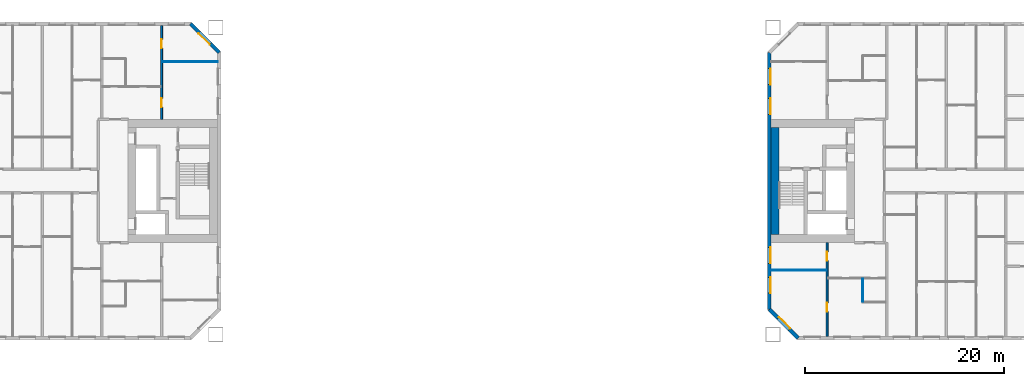
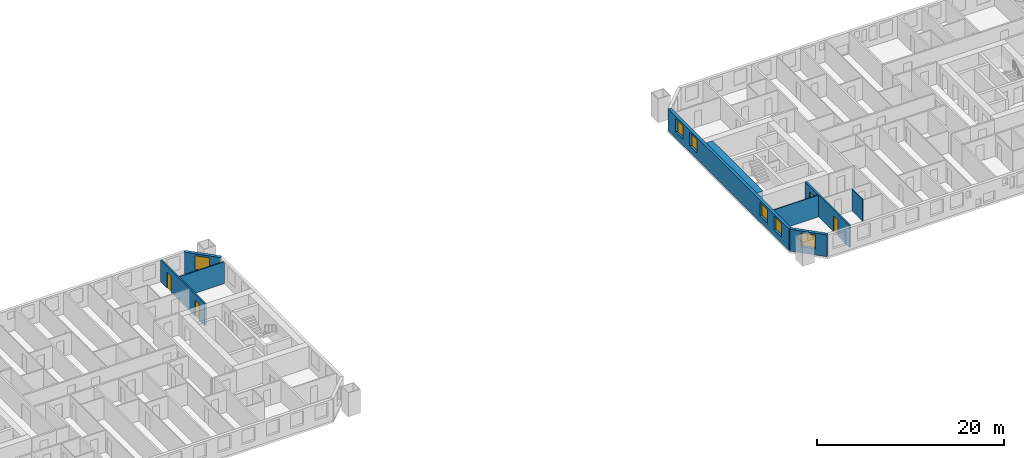
# One storey, part 8 of 16: 9 walls, 6 windows, 4 doors, 10 openings.
"""IFC4 building model written with IfcOpenShell, lengths in metres."""

from ifc_helpers import new_model, si_unit, direction, frame, frame_2d, origin, place, context, subcontext, project, spatial, rectangle, extrude, material, layer, layer_set, type_object, element, fill, save


model = new_model("IFC4")

# Units and contexts
model_context = context("Model", 3, precision=1e-05, world=origin(), true_north=direction((0.0, 1.0)))
body_context = subcontext(model_context, "Body", "Model", "MODEL_VIEW")
ifc_project = project(units=[si_unit("LENGTHUNIT", "METRE"), si_unit("AREAUNIT", "SQUARE_METRE"), si_unit("VOLUMEUNIT", "CUBIC_METRE"), si_unit("PLANEANGLEUNIT", "RADIAN"), si_unit("MASSUNIT", "GRAM", prefix="KILO")], contexts=[model_context])

# Site, building, storey
site_placement = place(None, origin())
site = spatial("IfcSite", under=ifc_project, at=site_placement, CompositionType="ELEMENT")
building_placement = place(site_placement, origin())
building = spatial("IfcBuilding", under=site, at=building_placement, Name="Tuart Gate Housing", CompositionType="ELEMENT")
storey_placement = place(building_placement, frame((0.0, 0.0, 59.800048828125)))
storey = spatial("IfcBuildingStorey", under=building, at=storey_placement, Name="L16", CompositionType="ELEMENT", Elevation=59.800048828125)

# Wall, opening, window
ifc_material_1 = material(Name="Brick", Category="masonry")
ifc_layer_1 = layer(ifc_material_1, 0.360107421875)
ifc_layer_set_1 = layer_set([ifc_layer_1], Name="Brick pier and spandrel wall 360")
wall_type_1 = type_object("IfcWallType", Name="Brick pier and spandrel wall 360", PredefinedType="STANDARD", material=ifc_layer_set_1)
wall_1_placement = place(storey_placement, frame((75.820068359375, 82.92529296875, 0.0), z_axis=(0.0, 0.0, 1.0), x_axis=(-0.707106781187, 0.707106781187, 0.0)))
wall_1 = element("IfcWall", 1, at=wall_1_placement, inside=storey, type_object=wall_type_1, Name="External wall A-NE L16", PredefinedType="STANDARD", context=body_context, shape_type="SweptSolid", body=[
    extrude(rectangle(XDim=4.09375, YDim=0.360107421875, at=frame_2d((2.046875, 0.0))), origin(), (0.0, 0.0, 1.0), 2.849853515625),
])
opening_1_placement = place(wall_1_placement, frame((1.2470703125, 0.0, 0.800048828125)))
opening_1 = element("IfcOpeningElement", 2, at=opening_1_placement, cuts=wall_1, Name="Opening W1", PredefinedType="OPENING", context=body_context, shape_type="SweptSolid", body=[
    extrude(rectangle(XDim=1.60009765625, YDim=1.800048828125, at=frame_2d((0.800048828125, 0.89990234375))), frame((0.0, 0.18994140625, 0.0), z_axis=(0.0, -1.0, 0.0), x_axis=(1.0, 0.0, 0.0)), (0.0, 0.0, 1.0), 0.380126953125),
])
ifc_material_2 = material(Name="Aluminium frame with clear glass", Category="aluminium")
window_type = type_object("IfcWindowType", Name="Punched window 1600 x 1800", PartitioningType="SINGLE_PANEL", PredefinedType="WINDOW", material=ifc_material_2)
window_1_placement = place(opening_1_placement, origin())
window_1 = element("IfcWindow", 3, at=window_1_placement, inside=storey, type_object=window_type, Name="Window W1", OverallHeight=1.800048828125, OverallWidth=1.60009765625, PartitioningType="SINGLE_PANEL", PredefinedType="WINDOW", context=body_context, shape_type="SweptSolid", body=[
    extrude(rectangle(XDim=1.60009765625, YDim=1.800048828125, at=frame_2d((0.800048828125, 0.89990234375))), frame((0.0, 0.150146484375, 0.0), z_axis=(0.0, -1.0, 0.0), x_axis=(1.0, 0.0, 0.0)), (0.0, 0.0, 1.0), 0.06005859375),
])
fill(opening_1, window_1)

wall_2_placement = place(storey_placement, frame((131.179931640625, 57.07470703125, 0.0), z_axis=(0.0, 0.0, 1.0), x_axis=(0.707106781187, -0.707106781187, 0.0)))
wall_2 = element("IfcWall", 4, at=wall_2_placement, inside=storey, type_object=wall_type_1, Name="External wall B-SW L16", PredefinedType="STANDARD", context=body_context, shape_type="SweptSolid", body=[
    extrude(rectangle(XDim=4.09375, YDim=0.360107421875, at=frame_2d((2.046875, 0.0))), origin(), (0.0, 0.0, 1.0), 2.849853515625),
])
opening_2_placement = place(wall_2_placement, frame((1.2470703125, 0.0, 0.800048828125)))
opening_2 = element("IfcOpeningElement", 5, at=opening_2_placement, cuts=wall_2, Name="Opening W1", PredefinedType="OPENING", context=body_context, shape_type="SweptSolid", body=[
    extrude(rectangle(XDim=1.60009765625, YDim=1.800048828125, at=frame_2d((0.800048828125, 0.89990234375))), frame((0.0, 0.18994140625, 0.0), z_axis=(0.0, -1.0, 0.0), x_axis=(1.0, 0.0, 0.0)), (0.0, 0.0, 1.0), 0.380126953125),
])
window_2_placement = place(opening_2_placement, origin())
window_2 = element("IfcWindow", 6, at=window_2_placement, inside=storey, type_object=window_type, Name="Window W1", OverallHeight=1.800048828125, OverallWidth=1.60009765625, PartitioningType="SINGLE_PANEL", PredefinedType="WINDOW", context=body_context, shape_type="SweptSolid", body=[
    extrude(rectangle(XDim=1.60009765625, YDim=1.800048828125, at=frame_2d((0.800048828125, 0.89990234375))), frame((0.0, 0.150146484375, 0.0), z_axis=(0.0, -1.0, 0.0), x_axis=(1.0, 0.0, 0.0)), (0.0, 0.0, 1.0), 0.06005859375),
])
fill(opening_2, window_2)

# Wall, openings, windows
wall_3_placement = place(storey_placement, frame((131.179931640625, 82.92529296875, 0.0), z_axis=(0.0, 0.0, 1.0), x_axis=(0.0, -1.0, 0.0)))
wall_3 = element("IfcWall", 7, at=wall_3_placement, inside=storey, type_object=wall_type_1, Name="External wall B-W L16", PredefinedType="STANDARD", context=body_context, shape_type="SweptSolid", body=[
    extrude(rectangle(XDim=25.850830078125, YDim=0.360107421875, at=frame_2d((12.92529296875, 0.0))), origin(), (0.0, 0.0, 1.0), 2.849853515625),
])
opening_3_placement = place(wall_3_placement, frame((1.62548828125, 0.0, 0.800048828125)))
opening_3 = element("IfcOpeningElement", 8, at=opening_3_placement, cuts=wall_3, Name="Opening W1", PredefinedType="OPENING", context=body_context, shape_type="SweptSolid", body=[
    extrude(rectangle(XDim=1.60009765625, YDim=1.800048828125, at=frame_2d((0.800048828125, 0.89990234375))), frame((0.0, 0.18994140625, 0.0), z_axis=(0.0, -1.0, 0.0), x_axis=(1.0, 0.0, 0.0)), (0.0, 0.0, 1.0), 0.380126953125),
])
opening_4_placement = place(wall_3_placement, frame((4.62548828125, 0.0, 0.800048828125)))
opening_4 = element("IfcOpeningElement", 9, at=opening_4_placement, cuts=wall_3, Name="Opening W1", PredefinedType="OPENING", context=body_context, shape_type="SweptSolid", body=[
    extrude(rectangle(XDim=1.60009765625, YDim=1.800048828125, at=frame_2d((0.800048828125, 0.89990234375))), frame((0.0, 0.18994140625, 0.0), z_axis=(0.0, -1.0, 0.0), x_axis=(1.0, 0.0, 0.0)), (0.0, 0.0, 1.0), 0.380126953125),
])
opening_5_placement = place(wall_3_placement, frame((19.62548828125, 0.0, 0.800048828125)))
opening_5 = element("IfcOpeningElement", 10, at=opening_5_placement, cuts=wall_3, Name="Opening W1", PredefinedType="OPENING", context=body_context, shape_type="SweptSolid", body=[
    extrude(rectangle(XDim=1.60009765625, YDim=1.800048828125, at=frame_2d((0.800048828125, 0.89990234375))), frame((0.0, 0.18994140625, 0.0), z_axis=(0.0, -1.0, 0.0), x_axis=(1.0, 0.0, 0.0)), (0.0, 0.0, 1.0), 0.380126953125),
])
opening_6_placement = place(wall_3_placement, frame((22.62548828125, 0.0, 0.800048828125)))
opening_6 = element("IfcOpeningElement", 11, at=opening_6_placement, cuts=wall_3, Name="Opening W1", PredefinedType="OPENING", context=body_context, shape_type="SweptSolid", body=[
    extrude(rectangle(XDim=1.60009765625, YDim=1.800048828125, at=frame_2d((0.800048828125, 0.89990234375))), frame((0.0, 0.18994140625, 0.0), z_axis=(0.0, -1.0, 0.0), x_axis=(1.0, 0.0, 0.0)), (0.0, 0.0, 1.0), 0.380126953125),
])
window_3_placement = place(opening_3_placement, origin())
window_3 = element("IfcWindow", 12, at=window_3_placement, inside=storey, type_object=window_type, Name="Window W1", OverallHeight=1.800048828125, OverallWidth=1.60009765625, PartitioningType="SINGLE_PANEL", PredefinedType="WINDOW", context=body_context, shape_type="SweptSolid", body=[
    extrude(rectangle(XDim=1.60009765625, YDim=1.800048828125, at=frame_2d((0.800048828125, 0.89990234375))), frame((0.0, 0.150146484375, 0.0), z_axis=(0.0, -1.0, 0.0), x_axis=(1.0, 0.0, 0.0)), (0.0, 0.0, 1.0), 0.06005859375),
])
fill(opening_3, window_3)
window_4_placement = place(opening_4_placement, origin())
window_4 = element("IfcWindow", 13, at=window_4_placement, inside=storey, type_object=window_type, Name="Window W1", OverallHeight=1.800048828125, OverallWidth=1.60009765625, PartitioningType="SINGLE_PANEL", PredefinedType="WINDOW", context=body_context, shape_type="SweptSolid", body=[
    extrude(rectangle(XDim=1.60009765625, YDim=1.800048828125, at=frame_2d((0.800048828125, 0.89990234375))), frame((0.0, 0.150146484375, 0.0), z_axis=(0.0, -1.0, 0.0), x_axis=(1.0, 0.0, 0.0)), (0.0, 0.0, 1.0), 0.06005859375),
])
fill(opening_4, window_4)
window_5_placement = place(opening_5_placement, origin())
window_5 = element("IfcWindow", 14, at=window_5_placement, inside=storey, type_object=window_type, Name="Window W1", OverallHeight=1.800048828125, OverallWidth=1.60009765625, PartitioningType="SINGLE_PANEL", PredefinedType="WINDOW", context=body_context, shape_type="SweptSolid", body=[
    extrude(rectangle(XDim=1.60009765625, YDim=1.800048828125, at=frame_2d((0.800048828125, 0.89990234375))), frame((0.0, 0.150146484375, 0.0), z_axis=(0.0, -1.0, 0.0), x_axis=(1.0, 0.0, 0.0)), (0.0, 0.0, 1.0), 0.06005859375),
])
fill(opening_5, window_5)
window_6_placement = place(opening_6_placement, origin())
window_6 = element("IfcWindow", 15, at=window_6_placement, inside=storey, type_object=window_type, Name="Window W1", OverallHeight=1.800048828125, OverallWidth=1.60009765625, PartitioningType="SINGLE_PANEL", PredefinedType="WINDOW", context=body_context, shape_type="SweptSolid", body=[
    extrude(rectangle(XDim=1.60009765625, YDim=1.800048828125, at=frame_2d((0.800048828125, 0.89990234375))), frame((0.0, 0.150146484375, 0.0), z_axis=(0.0, -1.0, 0.0), x_axis=(1.0, 0.0, 0.0)), (0.0, 0.0, 1.0), 0.06005859375),
])
fill(opening_6, window_6)

# Walls
ifc_material_3 = material(Name="Concrete C60", Category="concrete")
ifc_layer_2 = layer(ifc_material_3, 0.800048828125)
ifc_layer_set_2 = layer_set([ifc_layer_2], Name="Core wall 800 C60")
wall_type_2 = type_object("IfcWallType", Name="Core wall 800 C60", PredefinedType="SHEAR", material=ifc_layer_set_2)
wall_4_placement = place(storey_placement, frame((131.760009765625, 64.60009765625, 0.0), z_axis=(0.0, 0.0, 1.0), x_axis=(0.0, 1.0, 0.0)))
element("IfcWall", 16, at=wall_4_placement, inside=storey, type_object=wall_type_2, Name="Core wall BG back", PredefinedType="SHEAR", context=body_context, shape_type="SweptSolid", body=[
    extrude(rectangle(XDim=10.7998046875, YDim=0.800048828125, at=frame_2d((5.39990234375, 0.0))), origin(), (0.0, 0.0, 1.0), 2.849853515625),
])
ifc_material_4 = material(Name="Gypsum board on steel studs", Category="steel")
ifc_layer_3 = layer(ifc_material_4, 0.10009765625)
ifc_layer_set_3 = layer_set([ifc_layer_3], Name="Partition 100")
wall_type_3 = type_object("IfcWallType", Name="Partition 100", PredefinedType="PARTITIONING", material=ifc_layer_set_3)
for number, where, z_axis, x_axis, name in (
    (17, (131.360107421875, 61.0, 0.0), (0.0, 0.0, 1.0), (1.0, 0.0, 0.0), "Partition 100"),
    (18, (70.10009765625, 82.0, 0.0), (0.0, 0.0, 1.0), (1.0, 0.0, 0.0), "Partition 100"),
):
    element("IfcWall", number, at=place(storey_placement, frame(where, z_axis=z_axis, x_axis=x_axis)), inside=storey, type_object=wall_type_3, Name=name, PredefinedType="PARTITIONING", context=body_context, shape_type="SweptSolid", body=[
        extrude(rectangle(XDim=5.539794921875, YDim=0.10009765625, at=frame_2d((2.77001953125, 0.0))), origin(), (0.0, 0.0, 1.0), 2.849853515625),
    ])
wall_5_placement = place(storey_placement, frame((140.60009765625, 57.85009765625, 0.0), z_axis=(0.0, 0.0, 1.0), x_axis=(0.0, 1.0, 0.0)))
element("IfcWall", 19, at=wall_5_placement, inside=storey, type_object=wall_type_3, Name="Partition 100", PredefinedType="PARTITIONING", context=body_context, shape_type="SweptSolid", body=[
    extrude(rectangle(XDim=2.2998046875, YDim=0.10009765625, at=frame_2d((1.14990234375, 0.0))), origin(), (0.0, 0.0, 1.0), 2.849853515625),
])

# Wall, openings, doors
ifc_material_5 = material(Name="Concrete C40", Category="concrete")
ifc_layer_4 = layer(ifc_material_5, 0.199951171875)
ifc_layer_set_4 = layer_set([ifc_layer_4], Name="Party wall concrete C40 200")
wall_type_4 = type_object("IfcWallType", Name="Party wall concrete C40 200", PredefinedType="SOLIDWALL", material=ifc_layer_set_4)
wall_6_placement = place(storey_placement, frame((70.0, 76.199951171875, 0.0), z_axis=(0.0, 0.0, 1.0), x_axis=(0.0, 1.0, 0.0)))
wall_6 = element("IfcWall", 20, at=wall_6_placement, inside=storey, type_object=wall_type_4, Name="Party wall concrete C40 200", PredefinedType="SOLIDWALL", context=body_context, shape_type="SweptSolid", body=[
    extrude(rectangle(XDim=9.43994140625, YDim=0.199951171875, at=frame_2d((4.719970703125, 0.0))), origin(), (0.0, 0.0, 1.0), 2.849853515625),
])
opening_7_placement = place(wall_6_placement, frame((7.169921875, 0.0, 0.0)))
opening_7 = element("IfcOpeningElement", 21, at=opening_7_placement, cuts=wall_6, Name="Opening D717", PredefinedType="OPENING", context=body_context, shape_type="SweptSolid", body=[
    extrude(rectangle(XDim=0.89990234375, YDim=2.10009765625, at=frame_2d((0.449951171875, 1.050048828125))), frame((0.0, 0.10986328125, 0.0), z_axis=(0.0, -1.0, 0.0), x_axis=(1.0, 0.0, 0.0)), (0.0, 0.0, 1.0), 0.219970703125),
])
opening_8_placement = place(wall_6_placement, frame((1.199951171875, 0.0, 0.0)))
opening_8 = element("IfcOpeningElement", 22, at=opening_8_placement, cuts=wall_6, Name="Opening D718", PredefinedType="OPENING", context=body_context, shape_type="SweptSolid", body=[
    extrude(rectangle(XDim=0.89990234375, YDim=2.10009765625, at=frame_2d((0.449951171875, 1.050048828125))), frame((0.0, 0.10986328125, 0.0), z_axis=(0.0, -1.0, 0.0), x_axis=(1.0, 0.0, 0.0)), (0.0, 0.0, 1.0), 0.219970703125),
])
ifc_material_6 = material(Name="Timber door leaf in steel frame", Category="steel")
door_type_1 = type_object("IfcDoorType", Name="Internal door 900 RH", OperationType="SINGLE_SWING_RIGHT", PredefinedType="DOOR", material=ifc_material_6)
door_1_placement = place(opening_7_placement, frame((0.89990234375, 0.0, 0.0), z_axis=(0.0, 0.0, 1.0), x_axis=(-1.0, 0.0, 0.0)))
door_1 = element("IfcDoor", 23, at=door_1_placement, inside=storey, type_object=door_type_1, Name="Internal door", OperationType="SINGLE_SWING_RIGHT", OverallHeight=2.10009765625, OverallWidth=0.89990234375, PredefinedType="DOOR", context=body_context, shape_type="SweptSolid", body=[
    extrude(rectangle(XDim=0.89990234375, YDim=2.10009765625, at=frame_2d((0.449951171875, 1.050048828125))), frame((0.0, 0.025146484375, 0.0), z_axis=(0.0, -1.0, 0.0), x_axis=(1.0, 0.0, 0.0)), (0.0, 0.0, 1.0), 0.050048828125),
])
fill(opening_7, door_1)
door_2_placement = place(opening_8_placement, frame((0.89990234375, 0.0, 0.0), z_axis=(0.0, 0.0, 1.0), x_axis=(-1.0, 0.0, 0.0)))
door_2 = element("IfcDoor", 24, at=door_2_placement, inside=storey, type_object=door_type_1, Name="Internal door", OperationType="SINGLE_SWING_RIGHT", OverallHeight=2.10009765625, OverallWidth=0.89990234375, PredefinedType="DOOR", context=body_context, shape_type="SweptSolid", body=[
    extrude(rectangle(XDim=0.89990234375, YDim=2.10009765625, at=frame_2d((0.449951171875, 1.050048828125))), frame((0.0, 0.025146484375, 0.0), z_axis=(0.0, -1.0, 0.0), x_axis=(1.0, 0.0, 0.0)), (0.0, 0.0, 1.0), 0.050048828125),
])
fill(opening_8, door_2)

wall_7_placement = place(storey_placement, frame((137.0, 54.360107421875, 0.0), z_axis=(0.0, 0.0, 1.0), x_axis=(0.0, 1.0, 0.0)))
wall_7 = element("IfcWall", 25, at=wall_7_placement, inside=storey, type_object=wall_type_4, Name="Party wall concrete C40 200", PredefinedType="SOLIDWALL", context=body_context, shape_type="SweptSolid", body=[
    extrude(rectangle(XDim=9.43994140625, YDim=0.199951171875, at=frame_2d((4.719970703125, 0.0))), origin(), (0.0, 0.0, 1.0), 2.849853515625),
])
opening_9_placement = place(wall_7_placement, frame((2.469970703125, 0.0, 0.0)))
opening_9 = element("IfcOpeningElement", 26, at=opening_9_placement, cuts=wall_7, Name="Opening D829", PredefinedType="OPENING", context=body_context, shape_type="SweptSolid", body=[
    extrude(rectangle(XDim=0.89990234375, YDim=2.10009765625, at=frame_2d((0.449951171875, 1.050048828125))), frame((0.0, 0.10986328125, 0.0), z_axis=(0.0, -1.0, 0.0), x_axis=(1.0, 0.0, 0.0)), (0.0, 0.0, 1.0), 0.219970703125),
])
opening_10_placement = place(wall_7_placement, frame((7.590087890625, 0.0, 0.0)))
opening_10 = element("IfcOpeningElement", 27, at=opening_10_placement, cuts=wall_7, Name="Opening D830", PredefinedType="OPENING", context=body_context, shape_type="SweptSolid", body=[
    extrude(rectangle(XDim=0.89990234375, YDim=2.10009765625, at=frame_2d((0.449951171875, 1.050048828125))), frame((0.0, 0.10986328125, 0.0), z_axis=(0.0, -1.0, 0.0), x_axis=(1.0, 0.0, 0.0)), (0.0, 0.0, 1.0), 0.219970703125),
])
ifc_material_7 = material(Name="Timber door leaf in steel frame", Category="steel")
door_type_2 = type_object("IfcDoorType", Name="Internal door 900", OperationType="SINGLE_SWING_LEFT", PredefinedType="DOOR", material=ifc_material_7)
door_3_placement = place(opening_9_placement, origin())
door_3 = element("IfcDoor", 28, at=door_3_placement, inside=storey, type_object=door_type_2, Name="Internal door", OperationType="SINGLE_SWING_LEFT", OverallHeight=2.10009765625, OverallWidth=0.89990234375, PredefinedType="DOOR", context=body_context, shape_type="SweptSolid", body=[
    extrude(rectangle(XDim=0.89990234375, YDim=2.10009765625, at=frame_2d((0.449951171875, 1.050048828125))), frame((0.0, 0.02490234375, 0.0), z_axis=(0.0, -1.0, 0.0), x_axis=(1.0, 0.0, 0.0)), (0.0, 0.0, 1.0), 0.050048828125),
])
fill(opening_9, door_3)
door_4_placement = place(opening_10_placement, origin())
door_4 = element("IfcDoor", 29, at=door_4_placement, inside=storey, type_object=door_type_2, Name="Internal door", OperationType="SINGLE_SWING_LEFT", OverallHeight=2.10009765625, OverallWidth=0.89990234375, PredefinedType="DOOR", context=body_context, shape_type="SweptSolid", body=[
    extrude(rectangle(XDim=0.89990234375, YDim=2.10009765625, at=frame_2d((0.449951171875, 1.050048828125))), frame((0.0, 0.02490234375, 0.0), z_axis=(0.0, -1.0, 0.0), x_axis=(1.0, 0.0, 0.0)), (0.0, 0.0, 1.0), 0.050048828125),
])
fill(opening_10, door_4)

save(model, "model.ifc")
